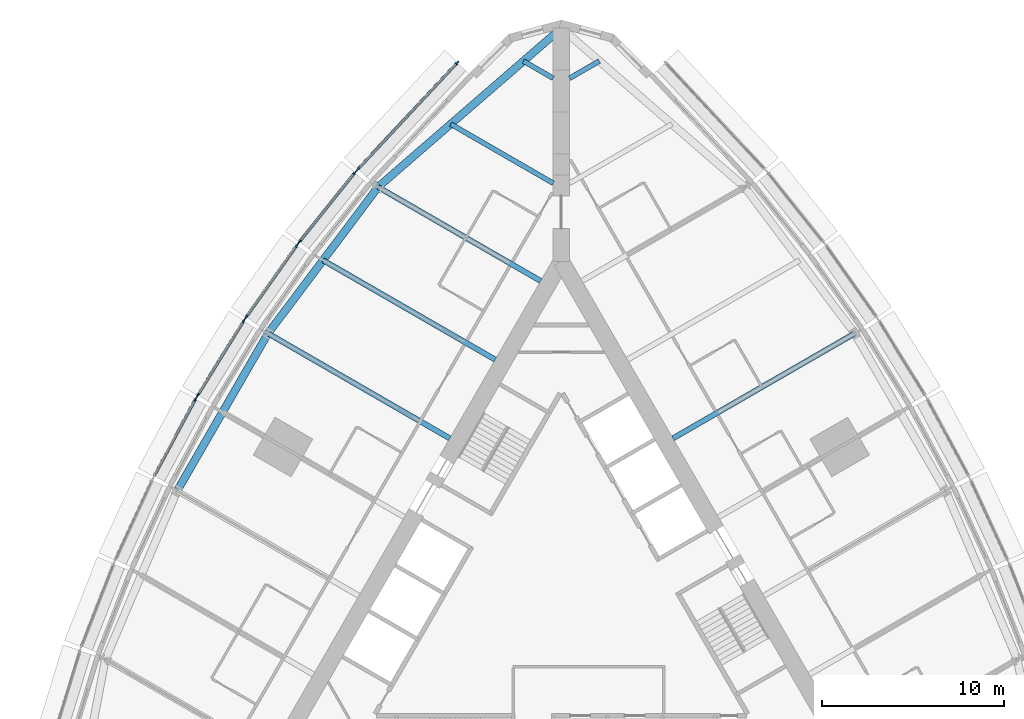
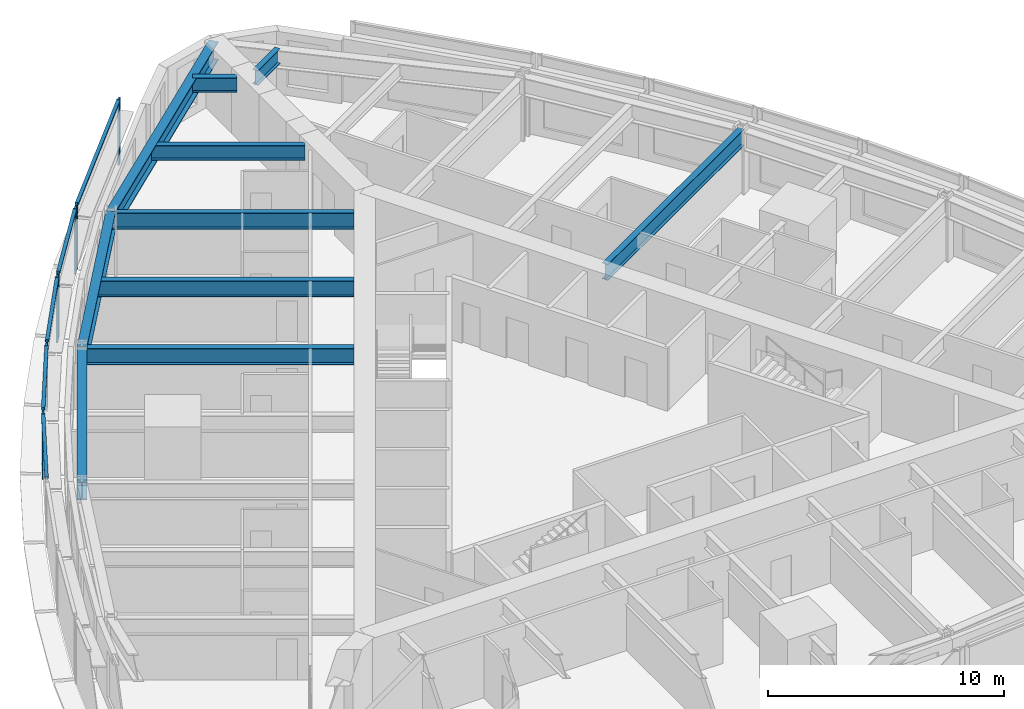
# One storey, part 4 of 14: 14 members, 10 beams, 5 elements without a shape of their own.
"""IFC4 building model written with IfcOpenShell, lengths in metres."""

from ifc_helpers import new_model, si_unit, direction, frame, origin, origin_2d, place, context, subcontext, project, spatial, rectangle, i_section, extrude, material, material_profile, profile_set, type_object, element, aggregate, save


model = new_model("IFC4")

# Units and contexts
model_context = context("Model", 3, precision=1e-05, world=origin(), true_north=direction((0.0, 1.0)))
body_context = subcontext(model_context, "Body", "Model", "MODEL_VIEW")
ifc_project = project(units=[si_unit("LENGTHUNIT", "METRE"), si_unit("AREAUNIT", "SQUARE_METRE"), si_unit("VOLUMEUNIT", "CUBIC_METRE"), si_unit("PLANEANGLEUNIT", "RADIAN"), si_unit("MASSUNIT", "GRAM", prefix="KILO")], contexts=[model_context])

# Site, building, storey
site_placement = place(None, origin())
site = spatial("IfcSite", under=ifc_project, at=site_placement, CompositionType="ELEMENT")
building_placement = place(site_placement, origin())
building = spatial("IfcBuilding", under=site, at=building_placement, Name="Trikona Tower", CompositionType="ELEMENT")
storey_placement = place(building_placement, frame((0.0, 0.0, 82.89990234375)))
storey = spatial("IfcBuildingStorey", under=building, at=storey_placement, Name="L21", CompositionType="ELEMENT", Elevation=82.89990234375)

# Curtain wall, members
ifc_material_1 = material(Name="Aluminium curtain wall system", Category="aluminium")
curtain_wall_type = type_object("IfcCurtainWallType", Name="Curtain wall DS1", PredefinedType="NOTDEFINED", material=ifc_material_1)
curtain_wall_1_placement = place(storey_placement, origin())
curtain_wall_1 = element("IfcCurtainWall", 1, at=curtain_wall_1_placement, inside=storey, type_object=curtain_wall_type, Name="Curtain wall DS1 L21", PredefinedType="NOTDEFINED")
ifc_material_2 = material(Name="Aluminium mullion, pale anodised", Category="aluminium")
ifc_material_profile_1 = material_profile(ifc_material_2, rectangle(XDim=0.080078125, YDim=0.219970703125, at=origin_2d()), Name="MUL-DS1")
ifc_profile_set_1 = profile_set([ifc_material_profile_1], Name="Aluminium mullion, pale anodised")
member_type_1 = type_object("IfcMemberType", Name="Mullion DS1 80x220", PredefinedType="MULLION", material=ifc_profile_set_1)
member_1_placement = place(storey_placement, frame((-5.72607421875, 29.98583984375, 0.0), z_axis=(0.0, 0.0, 1.0), x_axis=(0.731076639405, -0.682295351967, 0.0)))
member_1 = element("IfcMember", 2, at=member_1_placement, type_object=member_type_1, Name="CW-DS1 mullion 1", PredefinedType="MULLION", context=body_context, shape_type="SweptSolid", body=[
    extrude(rectangle(XDim=0.080078125, YDim=0.219970703125, at=origin_2d()), origin(), (0.0, 0.0, 1.0), 3.400146484375),
])
member_2_placement = place(storey_placement, frame((-11.192138671875, 24.129150390625, 0.0), z_axis=(0.0, 0.0, 1.0), x_axis=(0.731076639405, -0.682295351967, 0.0)))
member_2 = element("IfcMember", 3, at=member_2_placement, type_object=member_type_1, Name="CW-DS1 mullion 2", PredefinedType="MULLION", context=body_context, shape_type="SweptSolid", body=[
    extrude(rectangle(XDim=0.080078125, YDim=0.219970703125, at=origin_2d()), origin(), (0.0, 0.0, 1.0), 3.400146484375),
])

curtain_wall_2_placement = place(storey_placement, origin())
curtain_wall_2 = element("IfcCurtainWall", 4, at=curtain_wall_2_placement, inside=storey, type_object=curtain_wall_type, Name="Curtain wall DS1 L21", PredefinedType="NOTDEFINED")
member_3_placement = place(storey_placement, frame((-11.36767578125, 23.926025390625, 0.0), z_axis=(0.0, 0.0, 1.0), x_axis=(0.780937959679, -0.624608599951, 0.0)))
member_3 = element("IfcMember", 5, at=member_3_placement, type_object=member_type_1, Name="CW-DS1 mullion 1", PredefinedType="MULLION", context=body_context, shape_type="SweptSolid", body=[
    extrude(rectangle(XDim=0.080078125, YDim=0.219970703125, at=origin_2d()), origin(), (0.0, 0.0, 1.0), 3.400146484375),
])
member_4_placement = place(storey_placement, frame((-14.40185546875, 20.13232421875, 0.0), z_axis=(0.0, 0.0, 1.0), x_axis=(0.780937959679, -0.624608599951, 0.0)))
member_4 = element("IfcMember", 6, at=member_4_placement, type_object=member_type_1, Name="CW-DS1 mullion 2", PredefinedType="MULLION", context=body_context, shape_type="SweptSolid", body=[
    extrude(rectangle(XDim=0.080078125, YDim=0.219970703125, at=origin_2d()), origin(), (0.0, 0.0, 1.0), 3.400146484375),
])

curtain_wall_3_placement = place(storey_placement, origin())
curtain_wall_3 = element("IfcCurtainWall", 7, at=curtain_wall_3_placement, inside=storey, type_object=curtain_wall_type, Name="Curtain wall DS1 L21", PredefinedType="NOTDEFINED")
member_5_placement = place(storey_placement, frame((-14.554443359375, 19.929443359375, 0.0), z_axis=(0.0, 0.0, 1.0), x_axis=(0.816985393055, -0.576658362928, 0.0)))
member_5 = element("IfcMember", 8, at=member_5_placement, type_object=member_type_1, Name="CW-DS1 mullion 1", PredefinedType="MULLION", context=body_context, shape_type="SweptSolid", body=[
    extrude(rectangle(XDim=0.080078125, YDim=0.219970703125, at=origin_2d()), origin(), (0.0, 0.0, 1.0), 3.400146484375),
])
member_6_placement = place(storey_placement, frame((-17.33447265625, 15.990966796875, 0.0), z_axis=(0.0, 0.0, 1.0), x_axis=(0.816985393055, -0.576658362928, 0.0)))
member_6 = element("IfcMember", 9, at=member_6_placement, type_object=member_type_1, Name="CW-DS1 mullion 2", PredefinedType="MULLION", context=body_context, shape_type="SweptSolid", body=[
    extrude(rectangle(XDim=0.080078125, YDim=0.219970703125, at=origin_2d()), origin(), (0.0, 0.0, 1.0), 3.400146484375),
])

curtain_wall_4_placement = place(storey_placement, origin())
curtain_wall_4 = element("IfcCurtainWall", 10, at=curtain_wall_4_placement, inside=storey, type_object=curtain_wall_type, Name="Curtain wall DS1 L21", PredefinedType="NOTDEFINED")
member_7_placement = place(storey_placement, frame((-17.474853515625, 15.77880859375, 0.0), z_axis=(0.0, 0.0, 1.0), x_axis=(0.850410468941, -0.526119790842, 0.0)))
member_7 = element("IfcMember", 11, at=member_7_placement, type_object=member_type_1, Name="CW-DS1 mullion 1", PredefinedType="MULLION", context=body_context, shape_type="SweptSolid", body=[
    extrude(rectangle(XDim=0.080078125, YDim=0.219970703125, at=origin_2d()), origin(), (0.0, 0.0, 1.0), 3.400146484375),
])
member_8_placement = place(storey_placement, frame((-20.00146484375, 11.69482421875, 0.0), z_axis=(0.0, 0.0, 1.0), x_axis=(0.850410468941, -0.526119790842, 0.0)))
member_8 = element("IfcMember", 12, at=member_8_placement, type_object=member_type_1, Name="CW-DS1 mullion 2", PredefinedType="MULLION", context=body_context, shape_type="SweptSolid", body=[
    extrude(rectangle(XDim=0.080078125, YDim=0.219970703125, at=origin_2d()), origin(), (0.0, 0.0, 1.0), 3.400146484375),
])

# Curtain wall, member
curtain_wall_5_placement = place(storey_placement, origin())
curtain_wall_5 = element("IfcCurtainWall", 13, at=curtain_wall_5_placement, inside=storey, type_object=curtain_wall_type, Name="Curtain wall DS1 L21", PredefinedType="NOTDEFINED")
member_9_placement = place(storey_placement, frame((-20.128662109375, 11.474365234375, 0.0), z_axis=(0.0, 0.0, 1.0), x_axis=(0.880843080975, -0.473408350896, 0.0)))
member_9 = element("IfcMember", 14, at=member_9_placement, type_object=member_type_1, Name="CW-DS1 mullion 1", PredefinedType="MULLION", context=body_context, shape_type="SweptSolid", body=[
    extrude(rectangle(XDim=0.080078125, YDim=0.219970703125, at=origin_2d()), origin(), (0.0, 0.0, 1.0), 3.400146484375),
])

# Beams
ifc_material_3 = material(Name="Steel ASTM A992 Grade 50", Category="steel")
ifc_material_profile_2 = material_profile(ifc_material_3, i_section(OverallWidth=0.2666015625, OverallDepth=0.76953125, WebThickness=0.015625, FlangeThickness=0.025390625, at=origin_2d()), Name="W30X132")
ifc_profile_set_2 = profile_set([ifc_material_profile_2], Name="Steel ASTM A992 Grade 50")
beam_type_1 = type_object("IfcBeamType", Name="Steel beam W30x132 (wedge)", PredefinedType="BEAM", material=ifc_profile_set_2)
for number, where, z_axis, x_axis, name in (
    (15, (0.449951171875, 29.127197265625, 2.850341796875), (0.866009237431, 0.5000279999, 0.0), (-0.5000279999, 0.866009237431, 0.0), "Floor beam L22 F2 u25"),
    (16, (-0.449951171875, 29.127197265625, 2.850341796875), (-0.866009237431, 0.5000279999, 0.0), (-0.5000279999, -0.866009237431, 0.0), "Floor beam L22 F3 u-25"),
):
    element("IfcBeam", number, at=place(storey_placement, frame(where, z_axis=z_axis, x_axis=x_axis)), inside=storey, type_object=beam_type_1, Name=name, PredefinedType="BEAM", context=body_context, shape_type="SweptSolid", body=[
        extrude(i_section(OverallWidth=0.2666015625, OverallDepth=0.76953125, WebThickness=0.015625, FlangeThickness=0.025390625, at=origin_2d()), origin(), (0.0, 0.0, 1.0), 1.890625),
    ])
beam_1_placement = place(storey_placement, frame((-0.449951171875, 23.353759765625, 2.850341796875), z_axis=(-0.866022504693, 0.50000502134, 0.0), x_axis=(-0.50000502134, -0.866022504693, 0.0)))
element("IfcBeam", 17, at=beam_1_placement, inside=storey, type_object=beam_type_1, Name="Floor beam L22 F3 u-20", PredefinedType="BEAM", context=body_context, shape_type="SweptSolid", body=[
    extrude(i_section(OverallWidth=0.2666015625, OverallDepth=0.76953125, WebThickness=0.015625, FlangeThickness=0.025390625, at=origin_2d()), origin(), (0.0, 0.0, 1.0), 6.5068359375),
])
ifc_material_4 = material(Name="Steel ASTM A992 Grade 50", Category="steel")
ifc_material_profile_3 = material_profile(ifc_material_4, i_section(OverallWidth=0.2919921875, OverallDepth=0.845703125, WebThickness=0.015380859375, FlangeThickness=0.0244140625, at=origin_2d()), Name="W33X141")
ifc_profile_set_3 = profile_set([ifc_material_profile_3], Name="Steel ASTM A992 Grade 50")
beam_type_2 = type_object("IfcBeamType", Name="Steel beam W33x141 (radial typ)", PredefinedType="BEAM", material=ifc_profile_set_3)
beam_2_placement = place(storey_placement, frame((6.1396484375, 9.318359375, 2.812255859375), z_axis=(0.866029923217, 0.499992172032, 0.0), x_axis=(-0.499992172032, 0.866029923217, 0.0)))
element("IfcBeam", 18, at=beam_2_placement, inside=storey, type_object=beam_type_2, Name="Floor beam L22 F2 u5", PredefinedType="BEAM", context=body_context, shape_type="SweptSolid", body=[
    extrude(i_section(OverallWidth=0.2919921875, OverallDepth=0.845703125, WebThickness=0.015380859375, FlangeThickness=0.0244140625, at=origin_2d()), origin(), (0.0, 0.0, 1.0), 11.544189453125),
])
beam_3_placement = place(storey_placement, frame((-1.1396484375, 17.978515625, 2.812255859375), z_axis=(-0.866030471684, 0.499991222037, 0.0), x_axis=(-0.499991222037, -0.866030471684, 0.0)))
element("IfcBeam", 19, at=beam_3_placement, inside=storey, type_object=beam_type_2, Name="Floor beam L22 F3 u-15", PredefinedType="BEAM", context=body_context, shape_type="SweptSolid", body=[
    extrude(i_section(OverallWidth=0.2919921875, OverallDepth=0.845703125, WebThickness=0.015380859375, FlangeThickness=0.0244140625, at=origin_2d()), origin(), (0.0, 0.0, 1.0), 10.326904296875),
])
beam_4_placement = place(storey_placement, frame((-3.6396484375, 13.6484375, 2.812255859375), z_axis=(-0.866025348605, 0.500000095573, 0.0), x_axis=(-0.500000095573, -0.866025348605, 0.0)))
element("IfcBeam", 20, at=beam_4_placement, inside=storey, type_object=beam_type_2, Name="Floor beam L22 F3 u-10", PredefinedType="BEAM", context=body_context, shape_type="SweptSolid", body=[
    extrude(i_section(OverallWidth=0.2919921875, OverallDepth=0.845703125, WebThickness=0.015380859375, FlangeThickness=0.0244140625, at=origin_2d()), origin(), (0.0, 0.0, 1.0), 10.935546875),
])
beam_5_placement = place(storey_placement, frame((-6.1396484375, 9.318359375, 2.812255859375), z_axis=(-0.866029923217, 0.499992172032, 0.0), x_axis=(-0.499992172032, -0.866029923217, 0.0)))
element("IfcBeam", 21, at=beam_5_placement, inside=storey, type_object=beam_type_2, Name="Floor beam L22 F3 u-5", PredefinedType="BEAM", context=body_context, shape_type="SweptSolid", body=[
    extrude(i_section(OverallWidth=0.2919921875, OverallDepth=0.845703125, WebThickness=0.015380859375, FlangeThickness=0.0244140625, at=origin_2d()), origin(), (0.0, 0.0, 1.0), 11.544189453125),
])
ifc_material_5 = material(Name="Steel ASTM A992 Grade 50", Category="steel")
ifc_material_profile_4 = material_profile(ifc_material_5, i_section(OverallWidth=0.424072265625, OverallDepth=0.947509765625, WebThickness=0.02392578125, FlangeThickness=0.042724609375, at=origin_2d()), Name="W36X302")
ifc_profile_set_4 = profile_set([ifc_material_profile_4], Name="Steel ASTM A992 Grade 50")
beam_type_3 = type_object("IfcBeamType", Name="Steel beam W36x302 (spandrel)", PredefinedType="SPANDREL", material=ifc_profile_set_4)
beam_6_placement = place(storey_placement, frame((0.0, 31.881591796875, 2.761474609375), z_axis=(-0.755646822726, -0.654979296851, 0.0), x_axis=(0.654979296851, -0.755646822726, 0.0)))
element("IfcBeam", 22, at=beam_6_placement, inside=storey, type_object=beam_type_3, Name="Spandrel beam L22 F3-1", PredefinedType="SPANDREL", context=body_context, shape_type="SweptSolid", body=[
    extrude(i_section(OverallWidth=0.424072265625, OverallDepth=0.947509765625, WebThickness=0.02392578125, FlangeThickness=0.042724609375, at=origin_2d()), origin(), (0.0, 0.0, 1.0), 13.343505859375),
])
beam_7_placement = place(storey_placement, frame((-10.0830078125, 23.141845703125, 2.761474609375), z_axis=(-0.600988344191, -0.799257787042, 0.0), x_axis=(0.799257787042, -0.600988344191, 0.0)))
element("IfcBeam", 23, at=beam_7_placement, inside=storey, type_object=beam_type_3, Name="Spandrel beam L22 F3-2", PredefinedType="SPANDREL", context=body_context, shape_type="SweptSolid", body=[
    extrude(i_section(OverallWidth=0.424072265625, OverallDepth=0.947509765625, WebThickness=0.02392578125, FlangeThickness=0.042724609375, at=origin_2d()), origin(), (0.0, 0.0, 1.0), 10.07373046875),
])
beam_8_placement = place(storey_placement, frame((-16.13720703125, 15.09033203125, 2.761474609375), z_axis=(-0.500004234368, -0.866022959057, 0.0), x_axis=(0.866022959057, -0.500004234368, 0.0)))
element("IfcBeam", 24, at=beam_8_placement, inside=storey, type_object=beam_type_3, Name="Spandrel beam L22 F3-3", PredefinedType="SPANDREL", context=body_context, shape_type="SweptSolid", body=[
    extrude(i_section(OverallWidth=0.424072265625, OverallDepth=0.947509765625, WebThickness=0.02392578125, FlangeThickness=0.042724609375, at=origin_2d()), origin(), (0.0, 0.0, 1.0), 10.0),
])

# Member
ifc_material_6 = material(Name="Aluminium transom, pale anodised", Category="aluminium")
ifc_material_profile_5 = material_profile(ifc_material_6, rectangle(XDim=0.159912109375, YDim=0.080078125, at=origin_2d()), Name="TRN-DS1")
ifc_profile_set_5 = profile_set([ifc_material_profile_5], Name="Aluminium transom, pale anodised")
member_type_2 = type_object("IfcMemberType", Name="Transom DS1 80x160", PredefinedType="USERDEFINED", material=ifc_profile_set_5)
member_10_placement = place(storey_placement, frame((-5.75341796875, 29.95654296875, 3.360107421875), z_axis=(-0.682290830921, -0.731080858758, 0.0), x_axis=(0.731080858758, -0.682290830921, 0.0)))
member_10 = element("IfcMember", 25, at=member_10_placement, type_object=member_type_2, Name="CW-DS1 transom 1.1", ObjectType="TRANSOM", PredefinedType="USERDEFINED", context=body_context, shape_type="SweptSolid", body=[
    extrude(rectangle(XDim=0.159912109375, YDim=0.080078125, at=origin_2d()), origin(), (0.0, 0.0, 1.0), 7.93115234375),
])

aggregate(curtain_wall_1, [member_1, member_2, member_10])

member_11_placement = place(storey_placement, frame((-11.392822265625, 23.894775390625, 3.360107421875), z_axis=(-0.624589103832, -0.780953552636, 0.0), x_axis=(0.780953552636, -0.624589103832, 0.0)))
member_11 = element("IfcMember", 26, at=member_11_placement, type_object=member_type_2, Name="CW-DS1 transom 1.1", ObjectType="TRANSOM", PredefinedType="USERDEFINED", context=body_context, shape_type="SweptSolid", body=[
    extrude(rectangle(XDim=0.159912109375, YDim=0.080078125, at=origin_2d()), origin(), (0.0, 0.0, 1.0), 4.77783203125),
])

aggregate(curtain_wall_2, [member_3, member_4, member_11])

member_12_placement = place(storey_placement, frame((-14.57763671875, 19.896728515625, 3.360107421875), z_axis=(-0.57664478015, -0.816994980111, 0.0), x_axis=(0.816994980111, -0.57664478015, 0.0)))
member_12 = element("IfcMember", 27, at=member_12_placement, type_object=member_type_2, Name="CW-DS1 transom 1.1", ObjectType="TRANSOM", PredefinedType="USERDEFINED", context=body_context, shape_type="SweptSolid", body=[
    extrude(rectangle(XDim=0.159912109375, YDim=0.080078125, at=origin_2d()), origin(), (0.0, 0.0, 1.0), 4.740478515625),
])

aggregate(curtain_wall_3, [member_5, member_6, member_12])

member_13_placement = place(storey_placement, frame((-17.495849609375, 15.744873046875, 3.360107421875), z_axis=(-0.526080502257, -0.850434774186, 0.0), x_axis=(0.850434774186, -0.526080502257, 0.0)))
member_13 = element("IfcMember", 28, at=member_13_placement, type_object=member_type_2, Name="CW-DS1 transom 1.1", ObjectType="TRANSOM", PredefinedType="USERDEFINED", context=body_context, shape_type="SweptSolid", body=[
    extrude(rectangle(XDim=0.159912109375, YDim=0.080078125, at=origin_2d()), origin(), (0.0, 0.0, 1.0), 4.722412109375),
])

aggregate(curtain_wall_4, [member_7, member_8, member_13])

member_14_placement = place(storey_placement, frame((-20.147705078125, 11.43896484375, 3.360107421875), z_axis=(-0.473427569755, -0.880832751546, 0.0), x_axis=(0.880832751546, -0.473427569755, 0.0)))
member_14 = element("IfcMember", 29, at=member_14_placement, type_object=member_type_2, Name="CW-DS1 transom 1.1", ObjectType="TRANSOM", PredefinedType="USERDEFINED", context=body_context, shape_type="SweptSolid", body=[
    extrude(rectangle(XDim=0.159912109375, YDim=0.080078125, at=origin_2d()), origin(), (0.0, 0.0, 1.0), 4.72216796875),
])

aggregate(curtain_wall_5, [member_9, member_14])

save(model, "model.ifc")
